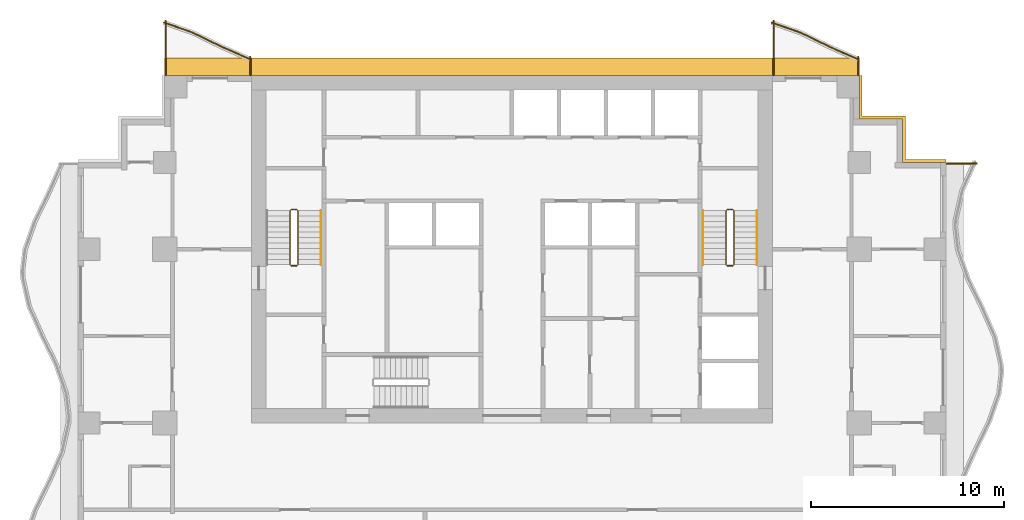
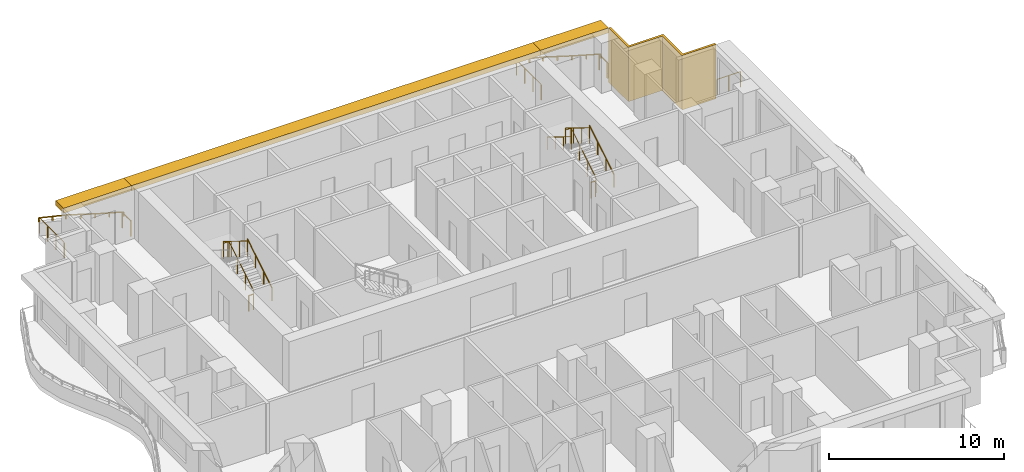
# One storey, part 10 of 10: 14 railings, 4 shading devices.
"""IFC4 building model written with IfcOpenShell, lengths in metres."""

from ifc_helpers import new_model, si_unit, direction, frame, origin, origin_2d, place, context, subcontext, project, spatial, polyline, rectangle, circle, outline, extrude, material, layer, layer_set, type_object, element, save


model = new_model("IFC4")

# Units and contexts
model_context = context("Model", 3, precision=1e-05, world=origin(), true_north=direction((0.0, 1.0)))
body_context = subcontext(model_context, "Body", "Model", "MODEL_VIEW")
ifc_project = project(units=[si_unit("LENGTHUNIT", "METRE"), si_unit("AREAUNIT", "SQUARE_METRE"), si_unit("VOLUMEUNIT", "CUBIC_METRE"), si_unit("PLANEANGLEUNIT", "RADIAN"), si_unit("MASSUNIT", "GRAM", prefix="KILO")], contexts=[model_context])

# Site, building, storey
site_placement = place(None, origin())
site = spatial("IfcSite", under=ifc_project, at=site_placement, CompositionType="ELEMENT")
building_placement = place(site_placement, origin())
building = spatial("IfcBuilding", under=site, at=building_placement, Name="Orbiselva Terraces", CompositionType="ELEMENT")
storey_placement = place(building_placement, frame((0.0, 0.0, 140.2)))
storey = spatial("IfcBuildingStorey", under=building, at=storey_placement, Name="L35", CompositionType="ELEMENT", Elevation=140.2)

# Railings
ifc_material_1 = material(Name="Stainless steel", Category="steel")
railing_type_1 = type_object("IfcRailingType", Name="CORE-GUARD-1100", PredefinedType="GUARDRAIL", material=ifc_material_1)
railing_1_placement = place(storey_placement, frame((-11.1, 12.7, 0.172727)))
element("IfcRailing", 1, at=railing_1_placement, inside=storey, type_object=railing_type_1, Name="L35 S1 stair guard 1", PredefinedType="GUARDRAIL", context=body_context, shape_type="SweptSolid", body=[
    extrude(circle(Radius=0.024, at=origin_2d()), frame((0.0, 0.0, 1.081), z_axis=(0.0, 0.851088519012, 0.52502222125), x_axis=(-1.0, 0.0, 0.0)), (0.0, 0.0, 1.0), 3.289905),
    extrude(circle(Radius=0.024, at=origin_2d()), frame((0.0, 2.8, 2.808273), z_axis=(-0.707106781187, 0.707106781187, 0.0), x_axis=(-0.707106781187, -0.707106781187, 0.0)), (0.0, 0.0, 1.0), 0.070711),
    extrude(circle(Radius=0.024, at=origin_2d()), frame((-0.05, 2.85, 2.808273), z_axis=(-1.0, 0.0, 0.0), x_axis=(0.0, -1.0, 0.0)), (0.0, 0.0, 1.0), 0.3),
    extrude(circle(Radius=0.024, at=origin_2d()), frame((-0.35, 2.85, 2.808273), z_axis=(-0.267894925557, -0.267894925557, 0.925453736133), x_axis=(0.707106781187, -0.707106781187, 0.0)), (0.0, 0.0, 1.0), 0.18664),
    extrude(circle(Radius=0.024, at=origin_2d()), frame((-0.4, 2.8, 2.981), z_axis=(0.0, -0.851088519012, 0.52502222125), x_axis=(1.0, 0.0, 0.0)), (0.0, 0.0, 1.0), 3.289905),
    extrude(circle(Radius=0.021, at=origin_2d()), origin(), (0.0, 0.0, 1.0), 1.057),
    extrude(circle(Radius=0.021, at=origin_2d()), frame((0.0, 0.933333, 0.575758)), (0.0, 0.0, 1.0), 1.057),
    extrude(circle(Radius=0.021, at=origin_2d()), frame((0.0, 1.866667, 1.151515)), (0.0, 0.0, 1.0), 1.057),
    extrude(circle(Radius=0.021, at=origin_2d()), frame((0.0, 2.8, 1.727273)), (0.0, 0.0, 1.0), 1.057),
    extrude(circle(Radius=0.021, at=origin_2d()), frame((-0.05, 2.85, 1.727273)), (0.0, 0.0, 1.0), 1.057),
    extrude(circle(Radius=0.021, at=origin_2d()), frame((-0.35, 2.85, 1.727273)), (0.0, 0.0, 1.0), 1.057),
    extrude(circle(Radius=0.021, at=origin_2d()), frame((-0.4, 2.8, 1.9)), (0.0, 0.0, 1.0), 1.057),
    extrude(circle(Radius=0.021, at=origin_2d()), frame((-0.4, 1.866667, 2.475758)), (0.0, 0.0, 1.0), 1.057),
    extrude(circle(Radius=0.021, at=origin_2d()), frame((-0.4, 0.933333, 3.051515)), (0.0, 0.0, 1.0), 1.057),
    extrude(circle(Radius=0.021, at=origin_2d()), frame((-0.4, 0.0, 3.627273)), (0.0, 0.0, 1.0), 1.057),
])
railing_2_placement = place(storey_placement, frame((-11.15, 12.65, 0.0)))
element("IfcRailing", 2, at=railing_2_placement, inside=storey, type_object=railing_type_1, Name="L35 S1 stair guard 2", PredefinedType="GUARDRAIL", context=body_context, shape_type="SweptSolid", body=[
    extrude(circle(Radius=0.024, at=origin_2d()), frame((0.0, 0.0, 1.081), z_axis=(-1.0, 0.0, 0.0), x_axis=(0.0, -1.0, 0.0)), (0.0, 0.0, 1.0), 0.3),
    extrude(circle(Radius=0.021, at=origin_2d()), origin(), (0.0, 0.0, 1.0), 1.057),
    extrude(circle(Radius=0.021, at=origin_2d()), frame((-0.3, 0.0, 0.0)), (0.0, 0.0, 1.0), 1.057),
])
railing_3_placement = place(storey_placement, frame((11.5, 12.7, 0.172727)))
element("IfcRailing", 3, at=railing_3_placement, inside=storey, type_object=railing_type_1, Name="L35 S2 stair guard 1", PredefinedType="GUARDRAIL", context=body_context, shape_type="SweptSolid", body=[
    extrude(circle(Radius=0.024, at=origin_2d()), frame((0.0, 0.0, 1.081), z_axis=(0.0, 0.851088519012, 0.52502222125), x_axis=(-1.0, 0.0, 0.0)), (0.0, 0.0, 1.0), 3.289905),
    extrude(circle(Radius=0.024, at=origin_2d()), frame((0.0, 2.8, 2.808273), z_axis=(-0.707106781187, 0.707106781187, 0.0), x_axis=(-0.707106781187, -0.707106781187, 0.0)), (0.0, 0.0, 1.0), 0.070711),
    extrude(circle(Radius=0.024, at=origin_2d()), frame((-0.05, 2.85, 2.808273), z_axis=(-1.0, 0.0, 0.0), x_axis=(0.0, -1.0, 0.0)), (0.0, 0.0, 1.0), 0.3),
    extrude(circle(Radius=0.024, at=origin_2d()), frame((-0.35, 2.85, 2.808273), z_axis=(-0.267894925557, -0.267894925557, 0.925453736133), x_axis=(0.707106781187, -0.707106781187, 0.0)), (0.0, 0.0, 1.0), 0.18664),
    extrude(circle(Radius=0.024, at=origin_2d()), frame((-0.4, 2.8, 2.981), z_axis=(0.0, -0.851088519012, 0.52502222125), x_axis=(1.0, 0.0, 0.0)), (0.0, 0.0, 1.0), 3.289905),
    extrude(circle(Radius=0.021, at=origin_2d()), origin(), (0.0, 0.0, 1.0), 1.057),
    extrude(circle(Radius=0.021, at=origin_2d()), frame((0.0, 0.933333, 0.575758)), (0.0, 0.0, 1.0), 1.057),
    extrude(circle(Radius=0.021, at=origin_2d()), frame((0.0, 1.866667, 1.151515)), (0.0, 0.0, 1.0), 1.057),
    extrude(circle(Radius=0.021, at=origin_2d()), frame((0.0, 2.8, 1.727273)), (0.0, 0.0, 1.0), 1.057),
    extrude(circle(Radius=0.021, at=origin_2d()), frame((-0.05, 2.85, 1.727273)), (0.0, 0.0, 1.0), 1.057),
    extrude(circle(Radius=0.021, at=origin_2d()), frame((-0.35, 2.85, 1.727273)), (0.0, 0.0, 1.0), 1.057),
    extrude(circle(Radius=0.021, at=origin_2d()), frame((-0.4, 2.8, 1.9)), (0.0, 0.0, 1.0), 1.057),
    extrude(circle(Radius=0.021, at=origin_2d()), frame((-0.4, 1.866667, 2.475758)), (0.0, 0.0, 1.0), 1.057),
    extrude(circle(Radius=0.021, at=origin_2d()), frame((-0.4, 0.933333, 3.051515)), (0.0, 0.0, 1.0), 1.057),
    extrude(circle(Radius=0.021, at=origin_2d()), frame((-0.4, 0.0, 3.627273)), (0.0, 0.0, 1.0), 1.057),
])
railing_4_placement = place(storey_placement, frame((11.45, 12.65, 0.0)))
element("IfcRailing", 4, at=railing_4_placement, inside=storey, type_object=railing_type_1, Name="L35 S2 stair guard 2", PredefinedType="GUARDRAIL", context=body_context, shape_type="SweptSolid", body=[
    extrude(circle(Radius=0.024, at=origin_2d()), frame((0.0, 0.0, 1.081), z_axis=(-1.0, 0.0, 0.0), x_axis=(0.0, -1.0, 0.0)), (0.0, 0.0, 1.0), 0.3),
    extrude(circle(Radius=0.021, at=origin_2d()), origin(), (0.0, 0.0, 1.0), 1.057),
    extrude(circle(Radius=0.021, at=origin_2d()), frame((-0.3, 0.0, 0.0)), (0.0, 0.0, 1.0), 1.057),
])
railing_type_2 = type_object("IfcRailingType", Name="CORE-HANDRAIL-900", PredefinedType="HANDRAIL", material=ifc_material_1)
for number, where, name in (
    (5, (-9.9, 12.7, 0.172727), "L35 S1 stair handrail 1"),
    (6, (12.7, 12.7, 0.172727), "L35 S2 stair handrail 1"),
):
    element("IfcRailing", number, at=place(storey_placement, frame(where)), inside=storey, type_object=railing_type_2, Name=name, PredefinedType="HANDRAIL", context=body_context, shape_type="SweptSolid", body=[
        extrude(circle(Radius=0.024, at=origin_2d()), frame((0.0, 0.0, 0.876), z_axis=(0.0, 0.851088519012, 0.52502222125), x_axis=(-1.0, 0.0, 0.0)), (0.0, 0.0, 1.0), 3.289905),
        extrude(circle(Radius=0.021, at=origin_2d()), origin(), (0.0, 0.0, 1.0), 0.852),
        extrude(circle(Radius=0.021, at=origin_2d()), frame((0.0, 0.933333, 0.575758)), (0.0, 0.0, 1.0), 0.852),
        extrude(circle(Radius=0.021, at=origin_2d()), frame((0.0, 1.866667, 1.151515)), (0.0, 0.0, 1.0), 0.852),
        extrude(circle(Radius=0.021, at=origin_2d()), frame((0.0, 2.8, 1.727273)), (0.0, 0.0, 1.0), 0.852),
    ])
railing_5_placement = place(storey_placement, frame((9.9, 15.5, 2.072727)))
element("IfcRailing", 7, at=railing_5_placement, inside=storey, type_object=railing_type_2, Name="L35 S2 stair handrail 2", PredefinedType="HANDRAIL", context=body_context, shape_type="SweptSolid", body=[
    extrude(circle(Radius=0.024, at=origin_2d()), frame((0.0, 0.0, 0.876), z_axis=(0.0, -0.851088519012, 0.52502222125), x_axis=(1.0, 0.0, 0.0)), (0.0, 0.0, 1.0), 3.289905),
    extrude(circle(Radius=0.021, at=origin_2d()), origin(), (0.0, 0.0, 1.0), 0.852),
    extrude(circle(Radius=0.021, at=origin_2d()), frame((0.0, -0.933333, 0.575758)), (0.0, 0.0, 1.0), 0.852),
    extrude(circle(Radius=0.021, at=origin_2d()), frame((0.0, -1.866667, 1.151515)), (0.0, 0.0, 1.0), 0.852),
    extrude(circle(Radius=0.021, at=origin_2d()), frame((0.0, -2.8, 1.727273)), (0.0, 0.0, 1.0), 0.852),
])
ifc_material_2 = material(Name="Bonded two-ply safety glass balustrade, stainless steel posts", Category="steel")
railing_type_3 = type_object("IfcRailingType", Name="ENV-BALUSTRADE-1200", PredefinedType="BALUSTRADE", material=ifc_material_2)
railing_6_placement = place(storey_placement, frame((17.949606, 23.33708, 0.9)))
element("IfcRailing", 8, at=railing_6_placement, inside=storey, type_object=railing_type_3, Name="Balcony balustrade L35 NE", PredefinedType="BALUSTRADE", context=body_context, shape_type="SweptSolid", body=[
    extrude(outline(polyline([(0.028868, 0.0), (0.014434, 0.025), (-0.014434, 0.025), (-0.028868, 0.0), (-0.014434, -0.025), (0.014434, -0.025), (0.028868, 0.0)])), frame((0.0, 0.0, 0.275), z_axis=(-0.915133394491, 0.403151175476, 0.0), x_axis=(-0.403151175476, -0.915133394491, 0.0)), (0.0, 0.0, 1.0), 1.641563),
    extrude(outline(polyline([(0.028868, 0.0), (0.014434, 0.025), (-0.014434, 0.025), (-0.028868, 0.0), (-0.014434, -0.025), (0.014434, -0.025), (0.028868, 0.0)])), frame((-1.502249, 0.661798, 0.275), z_axis=(-0.89857890432, 0.438811978768, 0.0), x_axis=(-0.438811978768, -0.89857890432, 0.0)), (0.0, 0.0, 1.0), 1.66438),
    extrude(outline(polyline([(0.028868, 0.0), (0.014434, 0.025), (-0.014434, 0.025), (-0.028868, 0.0), (-0.014434, -0.025), (0.014434, -0.025), (0.028868, 0.0)])), frame((-2.997826, 1.392148, 0.275), z_axis=(-0.943972354622, 0.330024535012, 0.0), x_axis=(-0.330024535012, -0.943972354622, 0.0)), (0.0, 0.0, 1.0), 1.581649),
    extrude(rectangle(XDim=0.05, YDim=0.05, at=origin_2d()), origin(), (0.0, 0.0, 1.0), 0.25),
    extrude(rectangle(XDim=0.05, YDim=0.05, at=origin_2d()), frame((-0.751124, 0.330899, 0.0)), (0.0, 0.0, 1.0), 0.25),
    extrude(rectangle(XDim=0.05, YDim=0.05, at=origin_2d()), frame((-1.502249, 0.661798, 0.0)), (0.0, 0.0, 1.0), 0.25),
    extrude(rectangle(XDim=0.05, YDim=0.05, at=origin_2d()), frame((-2.250037, 1.026973, 0.0)), (0.0, 0.0, 1.0), 0.25),
    extrude(rectangle(XDim=0.05, YDim=0.05, at=origin_2d()), frame((-2.997826, 1.392148, 0.0)), (0.0, 0.0, 1.0), 0.25),
    extrude(rectangle(XDim=0.05, YDim=0.05, at=origin_2d()), frame((-3.744342, 1.65314, 0.0)), (0.0, 0.0, 1.0), 0.25),
    extrude(rectangle(XDim=0.05, YDim=0.05, at=origin_2d()), frame((-4.490859, 1.914131, 0.0)), (0.0, 0.0, 1.0), 0.25),
])
railing_7_placement = place(storey_placement, frame((-13.550394, 23.33708, 0.9)))
element("IfcRailing", 9, at=railing_7_placement, inside=storey, type_object=railing_type_3, Name="Balcony balustrade L35 NW", PredefinedType="BALUSTRADE", context=body_context, shape_type="SweptSolid", body=[
    extrude(outline(polyline([(0.028868, 0.0), (0.014434, 0.025), (-0.014434, 0.025), (-0.028868, 0.0), (-0.014434, -0.025), (0.014434, -0.025), (0.028868, 0.0)])), frame((0.0, 0.0, 0.275), z_axis=(-0.915133394491, 0.403151175476, 0.0), x_axis=(-0.403151175476, -0.915133394491, 0.0)), (0.0, 0.0, 1.0), 1.641563),
    extrude(outline(polyline([(0.028868, 0.0), (0.014434, 0.025), (-0.014434, 0.025), (-0.028868, 0.0), (-0.014434, -0.025), (0.014434, -0.025), (0.028868, 0.0)])), frame((-1.502249, 0.661798, 0.275), z_axis=(-0.89857890432, 0.438811978768, 0.0), x_axis=(-0.438811978768, -0.89857890432, 0.0)), (0.0, 0.0, 1.0), 1.66438),
    extrude(outline(polyline([(0.028868, 0.0), (0.014434, 0.025), (-0.014434, 0.025), (-0.028868, 0.0), (-0.014434, -0.025), (0.014434, -0.025), (0.028868, 0.0)])), frame((-2.997826, 1.392148, 0.275), z_axis=(-0.943972354622, 0.330024535012, 0.0), x_axis=(-0.330024535012, -0.943972354622, 0.0)), (0.0, 0.0, 1.0), 1.581649),
    extrude(rectangle(XDim=0.05, YDim=0.05, at=origin_2d()), origin(), (0.0, 0.0, 1.0), 0.25),
    extrude(rectangle(XDim=0.05, YDim=0.05, at=origin_2d()), frame((-0.751124, 0.330899, 0.0)), (0.0, 0.0, 1.0), 0.25),
    extrude(rectangle(XDim=0.05, YDim=0.05, at=origin_2d()), frame((-1.502249, 0.661798, 0.0)), (0.0, 0.0, 1.0), 0.25),
    extrude(rectangle(XDim=0.05, YDim=0.05, at=origin_2d()), frame((-2.250037, 1.026973, 0.0)), (0.0, 0.0, 1.0), 0.25),
    extrude(rectangle(XDim=0.05, YDim=0.05, at=origin_2d()), frame((-2.997826, 1.392148, 0.0)), (0.0, 0.0, 1.0), 0.25),
    extrude(rectangle(XDim=0.05, YDim=0.05, at=origin_2d()), frame((-3.744342, 1.65314, 0.0)), (0.0, 0.0, 1.0), 0.25),
    extrude(rectangle(XDim=0.05, YDim=0.05, at=origin_2d()), frame((-4.490859, 1.914131, 0.0)), (0.0, 0.0, 1.0), 0.25),
])
ifc_material_3 = material(Name="Stainless steel rail and posts", Category="steel")
railing_type_4 = type_object("IfcRailingType", Name="ENV-GUARD-1105", PredefinedType="BALUSTRADE", material=ifc_material_3)
railing_8_placement = place(storey_placement, frame((24.082553, 17.94, 0.0)))
element("IfcRailing", 10, at=railing_8_placement, inside=storey, type_object=railing_type_4, Name="Balcony end guard L35 E", PredefinedType="BALUSTRADE", context=body_context, shape_type="SweptSolid", body=[
    extrude(outline(polyline([(0.028868, 0.0), (0.014434, 0.025), (-0.014434, 0.025), (-0.028868, 0.0), (-0.014434, -0.025), (0.014434, -0.025), (0.028868, 0.0)])), frame((0.0, 0.0, 1.08), z_axis=(-1.0, 0.0, 0.0), x_axis=(0.0, -1.0, 0.0)), (0.0, 0.0, 1.0), 1.557553),
    extrude(rectangle(XDim=0.05, YDim=0.05, at=origin_2d()), origin(), (0.0, 0.0, 1.0), 1.055),
    extrude(rectangle(XDim=0.05, YDim=0.05, at=origin_2d()), frame((-0.778777, 0.0, 0.0)), (0.0, 0.0, 1.0), 1.055),
    extrude(rectangle(XDim=0.05, YDim=0.05, at=origin_2d()), frame((-1.557553, 0.0, 0.0)), (0.0, 0.0, 1.0), 1.055),
])
railing_9_placement = place(storey_placement, frame((17.94, 23.473063, 0.0)))
element("IfcRailing", 11, at=railing_9_placement, inside=storey, type_object=railing_type_4, Name="Balcony end guard L35 NE", PredefinedType="BALUSTRADE", context=body_context, shape_type="SweptSolid", body=[
    extrude(outline(polyline([(0.028868, 0.0), (0.014434, 0.025), (-0.014434, 0.025), (-0.028868, 0.0), (-0.014434, -0.025), (0.014434, -0.025), (0.028868, 0.0)])), frame((0.0, 0.0, 1.08), z_axis=(0.0, -1.0, 0.0), x_axis=(1.0, 0.0, 0.0)), (0.0, 0.0, 1.0), 0.948063),
    extrude(rectangle(XDim=0.05, YDim=0.05, at=origin_2d()), origin(), (0.0, 0.0, 1.0), 1.055),
    extrude(rectangle(XDim=0.05, YDim=0.05, at=origin_2d()), frame((0.0, -0.948063, 0.0)), (0.0, 0.0, 1.0), 1.055),
])
railing_10_placement = place(storey_placement, frame((13.56, 25.35518, 0.0)))
element("IfcRailing", 12, at=railing_10_placement, inside=storey, type_object=railing_type_4, Name="Balcony end guard L35 NE", PredefinedType="BALUSTRADE", context=body_context, shape_type="SweptSolid", body=[
    extrude(outline(polyline([(0.028868, 0.0), (0.014434, 0.025), (-0.014434, 0.025), (-0.028868, 0.0), (-0.014434, -0.025), (0.014434, -0.025), (0.028868, 0.0)])), frame((0.0, 0.0, 1.08), z_axis=(0.0, -1.0, 0.0), x_axis=(1.0, 0.0, 0.0)), (0.0, 0.0, 1.0), 2.83018),
    extrude(rectangle(XDim=0.05, YDim=0.05, at=origin_2d()), origin(), (0.0, 0.0, 1.0), 1.055),
    extrude(rectangle(XDim=0.05, YDim=0.05, at=origin_2d()), frame((0.0, -0.943393, 0.0)), (0.0, 0.0, 1.0), 1.055),
    extrude(rectangle(XDim=0.05, YDim=0.05, at=origin_2d()), frame((0.0, -1.886787, 0.0)), (0.0, 0.0, 1.0), 1.055),
    extrude(rectangle(XDim=0.05, YDim=0.05, at=origin_2d()), frame((0.0, -2.83018, 0.0)), (0.0, 0.0, 1.0), 1.055),
])
railing_11_placement = place(storey_placement, frame((-13.56, 23.473063, 0.0)))
element("IfcRailing", 13, at=railing_11_placement, inside=storey, type_object=railing_type_4, Name="Balcony end guard L35 NW", PredefinedType="BALUSTRADE", context=body_context, shape_type="SweptSolid", body=[
    extrude(outline(polyline([(0.028868, 0.0), (0.014434, 0.025), (-0.014434, 0.025), (-0.028868, 0.0), (-0.014434, -0.025), (0.014434, -0.025), (0.028868, 0.0)])), frame((0.0, 0.0, 1.08), z_axis=(0.0, -1.0, 0.0), x_axis=(1.0, 0.0, 0.0)), (0.0, 0.0, 1.0), 0.948063),
    extrude(rectangle(XDim=0.05, YDim=0.05, at=origin_2d()), origin(), (0.0, 0.0, 1.0), 1.055),
    extrude(rectangle(XDim=0.05, YDim=0.05, at=origin_2d()), frame((0.0, -0.948063, 0.0)), (0.0, 0.0, 1.0), 1.055),
])
railing_12_placement = place(storey_placement, frame((-17.94, 25.35518, 0.0)))
element("IfcRailing", 14, at=railing_12_placement, inside=storey, type_object=railing_type_4, Name="Balcony end guard L35 NW", PredefinedType="BALUSTRADE", context=body_context, shape_type="SweptSolid", body=[
    extrude(outline(polyline([(0.028868, 0.0), (0.014434, 0.025), (-0.014434, 0.025), (-0.028868, 0.0), (-0.014434, -0.025), (0.014434, -0.025), (0.028868, 0.0)])), frame((0.0, 0.0, 1.08), z_axis=(0.0, -1.0, 0.0), x_axis=(1.0, 0.0, 0.0)), (0.0, 0.0, 1.0), 2.83018),
    extrude(rectangle(XDim=0.05, YDim=0.05, at=origin_2d()), origin(), (0.0, 0.0, 1.0), 1.055),
    extrude(rectangle(XDim=0.05, YDim=0.05, at=origin_2d()), frame((0.0, -0.943393, 0.0)), (0.0, 0.0, 1.0), 1.055),
    extrude(rectangle(XDim=0.05, YDim=0.05, at=origin_2d()), frame((0.0, -1.886787, 0.0)), (0.0, 0.0, 1.0), 1.055),
    extrude(rectangle(XDim=0.05, YDim=0.05, at=origin_2d()), frame((0.0, -2.83018, 0.0)), (0.0, 0.0, 1.0), 1.055),
])

# Shading devices
ifc_material_4 = material(Name="Terracotta louvre screen", Category="masonry")
ifc_layer_1 = layer(ifc_material_4, 0.15)
ifc_layer_set_1 = layer_set([ifc_layer_1], Name="Terracotta louvre screen")
shading_device_type_1 = type_object("IfcShadingDeviceType", Name="ENV-SCREEN-150", PredefinedType="USERDEFINED", material=ifc_layer_set_1)
shading_device_1_placement = place(storey_placement, frame((0.0, 0.0, -0.3)))
element("IfcShadingDevice", 15, at=shading_device_1_placement, inside=storey, type_object=shading_device_type_1, Name="Louvre screen L35 NE", ObjectType="SCREEN", PredefinedType="USERDEFINED", context=body_context, shape_type="SweptSolid", body=[
    extrude(outline(polyline([(22.5, 18.15), (20.4, 18.15), (20.4, 20.4), (18.15, 20.4), (18.15, 22.5), (18.0, 22.5), (18.0, 20.25), (20.25, 20.25), (20.25, 18.0), (22.5, 18.0), (22.5, 18.15)])), origin(), (0.0, 0.0, 1.0), 3.8),
])
ifc_material_5 = material(Name="Terracotta baguette sunshade", Category="masonry")
ifc_layer_2 = layer(ifc_material_5, 0.35)
ifc_layer_set_2 = layer_set([ifc_layer_2], Name="Terracotta baguette sunshade")
shading_device_type_2 = type_object("IfcShadingDeviceType", Name="ENV-SUNSHADE-900x350", PredefinedType="USERDEFINED", material=ifc_layer_set_2)
shading_device_2_placement = place(storey_placement, frame((0.0, 0.0, 3.15)))
element("IfcShadingDevice", 16, at=shading_device_2_placement, inside=storey, type_object=shading_device_type_2, Name="Sunshade band L35 NE", ObjectType="SUNSHADE", PredefinedType="USERDEFINED", context=body_context, shape_type="SweptSolid", body=[
    extrude(outline(polyline([(18.0, 23.4), (13.5, 23.4), (13.5, 22.5), (18.0, 22.5), (18.0, 23.4)])), origin(), (0.0, 0.0, 1.0), 0.35),
])
shading_device_3_placement = place(storey_placement, frame((0.0, 0.0, 3.15)))
element("IfcShadingDevice", 17, at=shading_device_3_placement, inside=storey, type_object=shading_device_type_2, Name="Sunshade band L35 CORE NORTH", ObjectType="SUNSHADE", PredefinedType="USERDEFINED", context=body_context, shape_type="SweptSolid", body=[
    extrude(outline(polyline([(13.5, 23.4), (-13.5, 23.4), (-13.5, 22.5), (13.5, 22.5), (13.5, 23.4)])), origin(), (0.0, 0.0, 1.0), 0.35),
])
shading_device_4_placement = place(storey_placement, frame((0.0, 0.0, 3.15)))
element("IfcShadingDevice", 18, at=shading_device_4_placement, inside=storey, type_object=shading_device_type_2, Name="Sunshade band L35 NW", ObjectType="SUNSHADE", PredefinedType="USERDEFINED", context=body_context, shape_type="SweptSolid", body=[
    extrude(outline(polyline([(-13.5, 23.4), (-18.0, 23.4), (-18.0, 22.5), (-13.5, 22.5), (-13.5, 23.4)])), origin(), (0.0, 0.0, 1.0), 0.35),
])

save(model, "model.ifc")
